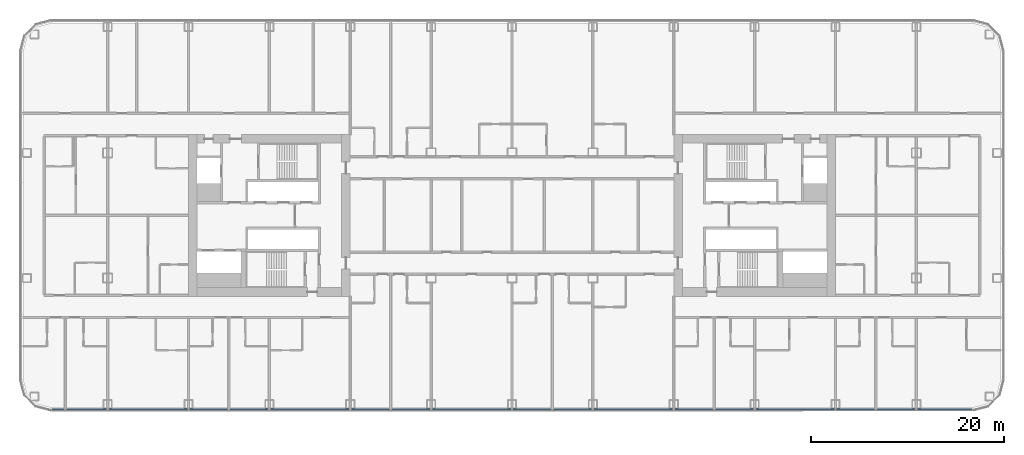
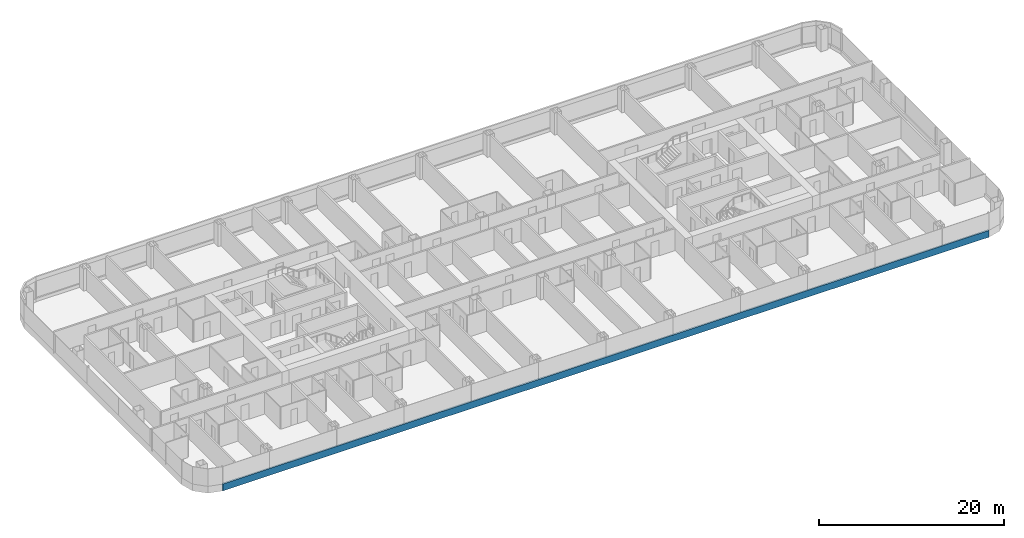
# One storey, part 5 of 29: 1 member, 1 element without a shape of its own.
"""IFC4 building model written with IfcOpenShell, lengths in metres."""

from ifc_helpers import new_model, si_unit, direction, frame, origin, origin_2d, place, context, subcontext, project, spatial, rectangle, extrude, material, layer, layer_set, material_profile, profile_set, type_object, element, aggregate, save


model = new_model("IFC4")

# Units and contexts
model_context = context("Model", 3, precision=1e-05, world=origin(), true_north=direction((0.0, 1.0)))
body_context = subcontext(model_context, "Body", "Model", "MODEL_VIEW")
ifc_project = project(units=[si_unit("LENGTHUNIT", "METRE"), si_unit("AREAUNIT", "SQUARE_METRE"), si_unit("VOLUMEUNIT", "CUBIC_METRE"), si_unit("PLANEANGLEUNIT", "RADIAN"), si_unit("MASSUNIT", "GRAM", prefix="KILO")], contexts=[model_context])

# Site, building, storey
site_placement = place(None, origin())
site = spatial("IfcSite", under=ifc_project, at=site_placement, CompositionType="ELEMENT")
building_placement = place(site_placement, origin())
building = spatial("IfcBuilding", under=site, at=building_placement, Name="Hakoniwa Tower and Hamabe Station Hall", CompositionType="ELEMENT")
storey_placement = place(building_placement, frame((0.0, 0.0, 61.39990234375)))
storey = spatial("IfcBuildingStorey", under=building, at=storey_placement, Name="L17", CompositionType="ELEMENT", Elevation=61.39990234375)

# Curtain wall, member
ifc_material_1 = material(Name="Dark low-e laminated glass", Category="glass")
ifc_layer = layer(ifc_material_1, 0.199951171875)
ifc_layer_set = layer_set([ifc_layer], Name="CW-1 UNITISED GUEST")
curtain_wall_type = type_object("IfcCurtainWallType", Name="CW-1 UNITISED GUEST", PredefinedType="NOTDEFINED", material=ifc_layer_set)
curtain_wall_placement = place(storey_placement, origin())
curtain_wall = element("IfcCurtainWall", 1, at=curtain_wall_placement, inside=storey, type_object=curtain_wall_type, Name="CW-1 curtain wall", PredefinedType="NOTDEFINED")
ifc_material_2 = material(Name="Aluminium 6063-T5 black anodised", Category="aluminium")
ifc_material_profile = material_profile(ifc_material_2, rectangle(XDim=0.199951171875, YDim=0.89990234375, at=origin_2d()), Name="CW SLAB-EDGE BAND 900X200")
ifc_profile_set = profile_set([ifc_material_profile], Name="Aluminium 6063-T5 black anodised")
member_type = type_object("IfcMemberType", Name="CW SLAB-EDGE BAND 900X200", PredefinedType="USERDEFINED", material=ifc_profile_set)
member_placement = place(storey_placement, frame((-47.839599609375, -20.199951171875, -0.099853515625), z_axis=(1.0, 0.0, 0.0), x_axis=(0.0, 1.0, 0.0)))
member = element("IfcMember", 2, at=member_placement, type_object=member_type, Name="CW-1 transom", ObjectType="TRANSOM", PredefinedType="USERDEFINED", context=body_context, shape_type="SweptSolid", body=[
    extrude(rectangle(XDim=0.199951171875, YDim=0.89990234375, at=origin_2d()), origin(), (0.0, 0.0, 1.0), 95.67919921875),
])
aggregate(curtain_wall, [member])

save(model, "model.ifc")
